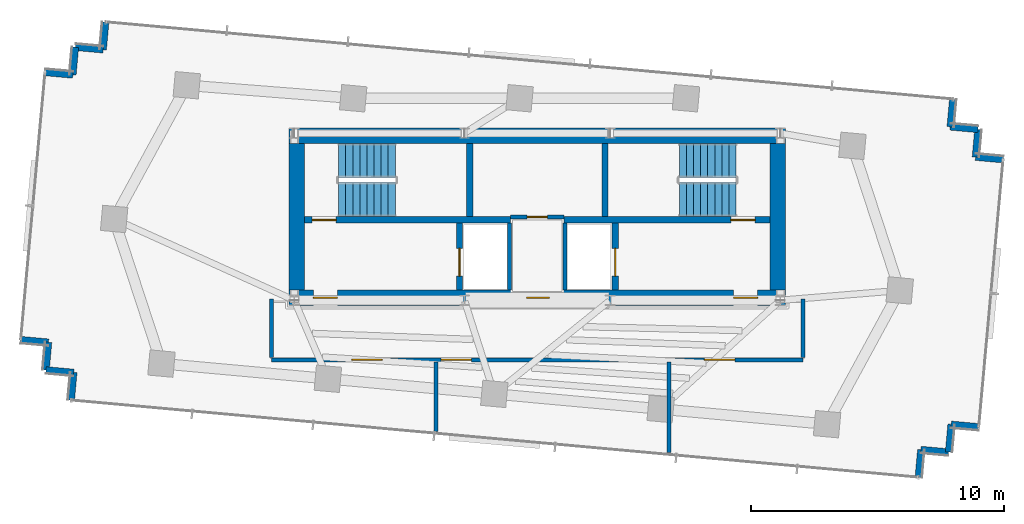
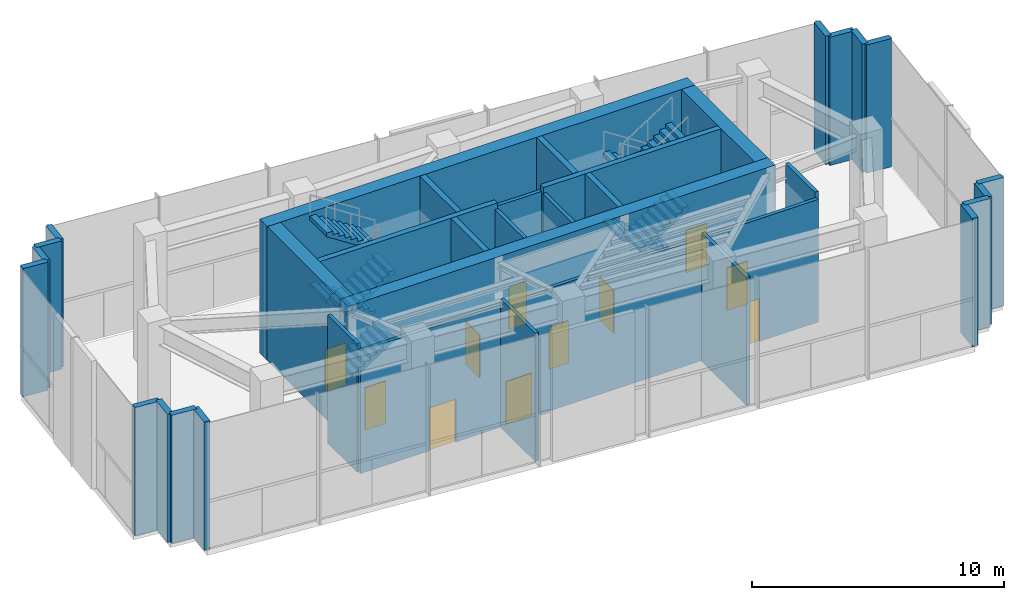
# One storey, part 16 of 18: 34 walls, 11 doors, 8 stair flights, 11 openings, 2 elements without a shape of their own.
"""IFC4 building model written with IfcOpenShell, lengths in metres."""

import ifcopenshell
import ifcopenshell.guid

model = None  # the IFC model being written
_history = None  # IfcOwnerHistory: only IFC2X3 demands one
_inside = {}  # id of a spatial element -> (the spatial element, [elements in it])
_under = {}  # id of a project, library or spatial element -> (it, [spatial elements below it])
_declared = {}  # id of a project -> (the project, [libraries it declares])
_typed = {}  # id of a type object -> (the type object, [elements of that type])
_made_of = {}  # id of a material, layer set ... -> (it, [elements and type objects made of it])


def new_model(schema):
    """Start an empty IFC model of exactly this schema.

    Asked for "IFC4X3", IfcOpenShell would pick the latest addendum, in which some entities
    have other attributes; the version numbers below select the first issue.
    IFC2X3 requires an IfcOwnerHistory on every rooted entity: one is made here for all.
    """
    global model, _history
    if schema == "IFC4X3":
        model = ifcopenshell.file(schema_version=(4, 3, 0, 0))
    else:
        model = ifcopenshell.file(schema=schema)
    _inside.clear()
    _under.clear()
    _declared.clear()
    _typed.clear()
    _made_of.clear()
    _history = None
    if model.schema == "IFC2X3":
        org = make("IfcOrganization", Name="unknown")
        user = make(
            "IfcPersonAndOrganization",
            ThePerson=make("IfcPerson", FamilyName="unknown"),
            TheOrganization=org,
        )
        app = make(
            "IfcApplication",
            ApplicationDeveloper=org,
            Version="unknown",
            ApplicationFullName="unknown",
            ApplicationIdentifier="unknown",
        )
        _history = make(
            "IfcOwnerHistory",
            OwningUser=user,
            OwningApplication=app,
            ChangeAction="ADDED",
            CreationDate=0,
        )
    return model


def make(cls, **values):
    """One entity of the class cls with the attributes given. An attribute that is None is left unset."""
    return model.create_entity(
        cls, **{name: value for name, value in values.items() if value is not None}
    )


def rooted(cls, **values):
    """An entity with a GlobalId (a new one), such as an element, a storey or a relation."""
    return make(cls, GlobalId=ifcopenshell.guid.new(), OwnerHistory=_history, **values)


def si_unit(unit_type, name, prefix=None):
    """IfcSIUnit, for example si_unit("LENGTHUNIT", "METRE", prefix="MILLI")."""
    return make("IfcSIUnit", UnitType=unit_type, Prefix=prefix, Name=name)


def assignment(units):
    """IfcUnitAssignment: the units of a project."""
    return None if units is None else make("IfcUnitAssignment", Units=units)


def point(xyz):
    """IfcCartesianPoint."""
    return None if xyz is None else make("IfcCartesianPoint", Coordinates=xyz)


def direction(xyz):
    """IfcDirection."""
    return None if xyz is None else make("IfcDirection", DirectionRatios=xyz)


def frame(location, z_axis=None, x_axis=None):
    """IfcAxis2Placement3D, a coordinate frame: its origin and axes. An axis left out is left unset."""
    return make(
        "IfcAxis2Placement3D",
        Location=point(location),
        Axis=direction(z_axis),
        RefDirection=direction(x_axis),
    )


def frame_2d(location, x_axis=None):
    """IfcAxis2Placement2D, a coordinate frame in the plane: its origin and x axis."""
    return make(
        "IfcAxis2Placement2D", Location=point(location), RefDirection=direction(x_axis)
    )


def origin():
    """The frame at (0, 0, 0) with its axes left unset."""
    return frame((0.0, 0.0, 0.0))


def place(relative_to, where):
    """IfcLocalPlacement: puts the frame where relative to a parent placement (None: the world)."""
    return make(
        "IfcLocalPlacement", PlacementRelTo=relative_to, RelativePlacement=where
    )


def context(
    kind, dimensions, precision=None, world=None, true_north=None, identifier=None
):
    """IfcGeometricRepresentationContext, for example the 3D "Model" context."""
    return make(
        "IfcGeometricRepresentationContext",
        ContextIdentifier=identifier,
        ContextType=kind,
        CoordinateSpaceDimension=dimensions,
        Precision=precision,
        WorldCoordinateSystem=world,
        TrueNorth=true_north,
    )


def subcontext(parent, identifier, kind, view, scale=None):
    """IfcGeometricRepresentationSubContext, for example "Body" below "Model"."""
    return make(
        "IfcGeometricRepresentationSubContext",
        ContextIdentifier=identifier,
        ContextType=kind,
        ParentContext=parent,
        TargetScale=scale,
        TargetView=view,
    )


def project(units=None, contexts=None):
    """IfcProject with its units and contexts."""
    return rooted(
        "IfcProject",
        Name="project",
        RepresentationContexts=contexts,
        UnitsInContext=assignment(units),
    )


def spatial(cls, under=None, at=None, **own):
    """A site, building, storey or space (cls), placed at a placement, below another one or the project."""
    s = rooted(cls, ObjectPlacement=at, **own)
    if under is not None:
        _under.setdefault(under.id(), (under, []))[1].append(s)
    return s


def polyline(points):
    """IfcPolyline through the points."""
    return make("IfcPolyline", Points=[point(p) for p in points])


def profile(cls, at=None, kind="AREA", **sizes):
    """A parametric profile (cls). Its sizes go by their IFC names, for example OverallWidth=200.0."""
    return make(cls, ProfileType=kind, Position=at, **sizes)


def rectangle(**sizes):
    """IfcRectangleProfileDef."""
    return profile("IfcRectangleProfileDef", **sizes)


def outline(outer, holes=None, kind="AREA"):
    """IfcArbitraryClosedProfileDef: a profile drawn as a closed curve; with holes, ...WithVoids."""
    if holes is None:
        return make("IfcArbitraryClosedProfileDef", ProfileType=kind, OuterCurve=outer)
    return make(
        "IfcArbitraryProfileDefWithVoids",
        ProfileType=kind,
        OuterCurve=outer,
        InnerCurves=holes,
    )


def extrude(swept, where, along, depth):
    """IfcExtrudedAreaSolid: the profile swept, set in the frame where, extruded along a direction by depth."""
    return make(
        "IfcExtrudedAreaSolid",
        SweptArea=swept,
        Position=where,
        ExtrudedDirection=direction(along),
        Depth=depth,
    )


def shape(context_of_items, identifier, shape_type, items):
    """IfcShapeRepresentation: the items that make up one representation, for example the "Body"."""
    return make(
        "IfcShapeRepresentation",
        ContextOfItems=context_of_items,
        RepresentationIdentifier=identifier,
        RepresentationType=shape_type,
        Items=items,
    )


def source(mapping_origin, context_of_items, identifier, shape_type, items):
    """IfcRepresentationMap: a shape defined once, which mapped items show again and again."""
    return make(
        "IfcRepresentationMap",
        MappingOrigin=mapping_origin,
        MappedRepresentation=shape(context_of_items, identifier, shape_type, items),
    )


def transform(
    local_origin,
    x_axis=None,
    y_axis=None,
    z_axis=None,
    scale=None,
    scale2=None,
    scale3=None,
    uniform=True,
):
    """IfcCartesianTransformationOperator3D, or its non-uniform kind. x_axis, y_axis, z_axis: its Axis1, 2, 3."""
    if uniform:
        return make(
            "IfcCartesianTransformationOperator3D",
            Axis1=direction(x_axis),
            Axis2=direction(y_axis),
            LocalOrigin=point(local_origin),
            Scale=scale,
            Axis3=direction(z_axis),
        )
    return make(
        "IfcCartesianTransformationOperator3DnonUniform",
        Axis1=direction(x_axis),
        Axis2=direction(y_axis),
        LocalOrigin=point(local_origin),
        Scale=scale,
        Axis3=direction(z_axis),
        Scale2=scale2,
        Scale3=scale3,
    )


def mapped(mapping_source, mapping_target):
    """IfcMappedItem: shows the shape of a source again, moved by a transform."""
    return make(
        "IfcMappedItem", MappingSource=mapping_source, MappingTarget=mapping_target
    )


def material(Name=None, Category=None):
    """IfcMaterial."""
    return make("IfcMaterial", Name=Name, Category=Category)


def layer(
    of_material, thickness, ventilated=None, Name=None, Category=None, Priority=None
):
    """IfcMaterialLayer: one layer of a wall or slab, of a material (None: an air gap)."""
    return make(
        "IfcMaterialLayer",
        Material=of_material,
        LayerThickness=thickness,
        IsVentilated=ventilated,
        Name=Name,
        Category=Category,
        Priority=Priority,
    )


def layer_set(layers, Name=None):
    """IfcMaterialLayerSet."""
    return make("IfcMaterialLayerSet", MaterialLayers=layers, LayerSetName=Name)


def made_of(thing, what):
    """Note that an element or type object is made of a material, layer set ...; save() writes the relation."""
    if what is not None:
        _made_of.setdefault(what.id(), (what, []))[1].append(thing)
    return thing


def type_object(cls, material=None, **own):
    """A type object (cls), such as IfcWallType, which elements share."""
    return made_of(rooted(cls, **own), material)


def type_shapes(of_type, sources):
    """Give a type object the sources (RepresentationMaps) that its elements show as mapped items."""
    of_type.RepresentationMaps = sources


def element(
    cls,
    number,
    at=None,
    inside=None,
    cuts=None,
    type_object=None,
    material=None,
    context=None,
    identifier="Body",
    shape_type=None,
    held_by="IfcProductDefinitionShape",
    body=None,
    shapes=None,
    **own,
):
    """One element of the class cls, such as IfcWall. Its Tag is "e" and its number.

    at: its placement. inside: the storey or other place that contains it. cuts: it is an
    opening in that element (IfcRelVoidsElement). A single representation is given by context,
    identifier, shape_type and body (its items); several are given by shapes. held_by: the class
    of the entity that holds the representations. save() writes the other relations.
    """
    e = rooted(cls, Tag="e%d" % number, ObjectPlacement=at, **own)
    if body is not None:
        shapes = [shape(context, identifier, shape_type, body)]
    if shapes is not None:
        e.Representation = make(held_by, Representations=shapes)
    if inside is not None:
        _inside.setdefault(inside.id(), (inside, []))[1].append(e)
    if cuts is not None:
        rooted(
            "IfcRelVoidsElement", RelatingBuildingElement=cuts, RelatedOpeningElement=e
        )
    if type_object is not None:
        _typed.setdefault(type_object.id(), (type_object, []))[1].append(e)
    return made_of(e, material)


def fill(opening, filler):
    """IfcRelFillsElement: the door or window that sits in an opening."""
    return rooted(
        "IfcRelFillsElement",
        RelatingOpeningElement=opening,
        RelatedBuildingElement=filler,
    )


def aggregate(whole, parts):
    """IfcRelAggregates: a whole, such as a stair, and the parts it consists of."""
    return rooted("IfcRelAggregates", RelatingObject=whole, RelatedObjects=parts)


def save(model, path):
    """Write the relations noted so far, then the file.

    IfcRelAggregates (storeys below a building ...), IfcRelContainedInSpatialStructure (elements
    in a storey), IfcRelDefinesByType, IfcRelAssociatesMaterial and IfcRelDeclares: one each for
    every whole, place, type object, material and project.
    """
    for whole, parts in _under.values():
        aggregate(whole, parts)
    for where, things in _inside.values():
        rooted(
            "IfcRelContainedInSpatialStructure",
            RelatedElements=things,
            RelatingStructure=where,
        )
    for kind, things in _typed.values():
        rooted("IfcRelDefinesByType", RelatedObjects=things, RelatingType=kind)
    for what, things in _made_of.values():
        rooted("IfcRelAssociatesMaterial", RelatedObjects=things, RelatingMaterial=what)
    for by, libraries in _declared.values():
        rooted("IfcRelDeclares", RelatingContext=by, RelatedDefinitions=libraries)
    model.write(path)


model = new_model("IFC4")

# Units and contexts
model_context = context("Model", 3, precision=1e-05, world=origin(), true_north=direction((0.0, 1.0)))
body_context = subcontext(model_context, "Body", "Model", "MODEL_VIEW")
ifc_project = project(units=[si_unit("LENGTHUNIT", "METRE"), si_unit("AREAUNIT", "SQUARE_METRE"), si_unit("VOLUMEUNIT", "CUBIC_METRE"), si_unit("PLANEANGLEUNIT", "RADIAN"), si_unit("MASSUNIT", "GRAM", prefix="KILO")], contexts=[model_context])

# Site, building, storey
site_placement = place(None, origin())
site = spatial("IfcSite", under=ifc_project, at=site_placement, CompositionType="ELEMENT")
building_placement = place(site_placement, origin())
building = spatial("IfcBuilding", under=site, at=building_placement, Name="Astriad Promenade Condominiums", CompositionType="ELEMENT")
storey_placement = place(building_placement, frame((0.0, 0.0, 277.300048828125)))
storey = spatial("IfcBuildingStorey", under=building, at=storey_placement, Name="L78", CompositionType="ELEMENT", Elevation=277.300048828125)

# Wall, openings, doors
ifc_material_1 = material(Name="Concrete C50/60", Category="concrete")
ifc_layer_1 = layer(ifc_material_1, 0.60009765625)
ifc_layer_set_1 = layer_set([ifc_layer_1], Name="Concrete C50/60")
wall_type_1 = type_object("IfcWallType", Name="CW-SHEAR-600", PredefinedType="SHEAR", material=ifc_layer_set_1)
wall_1_placement = place(storey_placement, frame((26.199951171875, 17.5, 0.0), z_axis=(0.0, 0.0, 1.0), x_axis=(1.0, 0.0, 0.0)))
wall_1 = element("IfcWall", 1, at=wall_1_placement, inside=storey, type_object=wall_type_1, Name="CW-CORE-S-L78", PredefinedType="SHEAR", context=body_context, shape_type="SweptSolid", body=[
    extrude(rectangle(XDim=19.60009765625, YDim=0.60009765625, at=frame_2d((9.800048828125, 0.0))), origin(), (0.0, 0.0, 1.0), 6.5),
])
opening_1_placement = place(wall_1_placement, frame((0.949951171875, 0.0, 0.0)))
opening_1 = element("IfcOpeningElement", 2, at=opening_1_placement, cuts=wall_1, Name="Opening FD90-ST-095", PredefinedType="OPENING", context=body_context, shape_type="SweptSolid", body=[
    extrude(rectangle(XDim=0.949951171875, YDim=2.06005859375, at=frame_2d((0.47509765625, 1.030029296875))), frame((0.0, 0.31005859375, 0.0), z_axis=(0.0, -1.0, 0.0), x_axis=(1.0, 0.0, 0.0)), (0.0, 0.0, 1.0), 0.6201171875),
])
opening_2_placement = place(wall_1_placement, frame((9.3798828125, 0.0, 0.0)))
opening_2 = element("IfcOpeningElement", 3, at=opening_2_placement, cuts=wall_1, Name="Opening FD60-CSL-090", PredefinedType="OPENING", context=body_context, shape_type="SweptSolid", body=[
    extrude(rectangle(XDim=0.89990234375, YDim=2.06005859375, at=frame_2d((0.449951171875, 1.030029296875))), frame((0.0, 0.31005859375, 0.0), z_axis=(0.0, -1.0, 0.0), x_axis=(1.0, 0.0, 0.0)), (0.0, 0.0, 1.0), 0.6201171875),
])
opening_3_placement = place(wall_1_placement, frame((17.550048828125, 0.0, 0.0)))
opening_3 = element("IfcOpeningElement", 4, at=opening_3_placement, cuts=wall_1, Name="Opening FD90-ST-095", PredefinedType="OPENING", context=body_context, shape_type="SweptSolid", body=[
    extrude(rectangle(XDim=0.949951171875, YDim=2.06005859375, at=frame_2d((0.47509765625, 1.030029296875))), frame((0.0, 0.31005859375, 0.0), z_axis=(0.0, -1.0, 0.0), x_axis=(1.0, 0.0, 0.0)), (0.0, 0.0, 1.0), 0.6201171875),
])
ifc_material_2 = material(Name="Fire-Rated Hollow Metal Stair Door")
door_type_1 = type_object("IfcDoorType", Name="FD90-ST-095", OperationType="NOTDEFINED", PredefinedType="DOOR", material=ifc_material_2)
shared_shape_1 = source(origin(), body_context, "Body", "SweptSolid", [
    extrude(rectangle(XDim=0.949951171875, YDim=2.06005859375, at=frame_2d((0.47509765625, 1.030029296875))), frame((0.0, 0.02490234375, 0.0), z_axis=(0.0, -1.0, 0.0), x_axis=(1.0, 0.0, 0.0)), (0.0, 0.0, 1.0), 0.050048828125),
])
type_shapes(door_type_1, [shared_shape_1])
door_1_placement = place(opening_1_placement, origin())
door_1 = element("IfcDoor", 5, at=door_1_placement, inside=storey, type_object=door_type_1, Name="D-FFW-L78", OperationType="SINGLE_SWING_LEFT", OverallHeight=2.06005859375, OverallWidth=0.949951171875, PredefinedType="DOOR", context=body_context, shape_type="MappedRepresentation", body=[
    mapped(shared_shape_1, transform((0.0, 0.0, 0.0), scale=1.0)),
])
fill(opening_1, door_1)
door_2_placement = place(opening_3_placement, origin())
door_2 = element("IfcDoor", 6, at=door_2_placement, inside=storey, type_object=door_type_1, Name="D-FFE-L78", OperationType="SINGLE_SWING_RIGHT", OverallHeight=2.06005859375, OverallWidth=0.949951171875, PredefinedType="DOOR", context=body_context, shape_type="MappedRepresentation", body=[
    mapped(shared_shape_1, transform((0.0, 0.0, 0.0), scale=1.0)),
])
fill(opening_3, door_2)
ifc_material_3 = material(Name="Fire-Rated Service Lobby Door")
door_type_2 = type_object("IfcDoorType", Name="FD60-CSL-090", OperationType="NOTDEFINED", PredefinedType="DOOR", material=ifc_material_3)
shared_shape_2 = source(origin(), body_context, "Body", "SweptSolid", [
    extrude(rectangle(XDim=0.89990234375, YDim=2.06005859375, at=frame_2d((0.449951171875, 1.030029296875))), frame((0.0, 0.02490234375, 0.0), z_axis=(0.0, -1.0, 0.0), x_axis=(1.0, 0.0, 0.0)), (0.0, 0.0, 1.0), 0.050048828125),
])
type_shapes(door_type_2, [shared_shape_2])
door_3_placement = place(opening_2_placement, origin())
door_3 = element("IfcDoor", 7, at=door_3_placement, inside=storey, type_object=door_type_2, Name="D-CSL-L78", OperationType="SINGLE_SWING_RIGHT", OverallHeight=2.06005859375, OverallWidth=0.89990234375, PredefinedType="DOOR", context=body_context, shape_type="MappedRepresentation", body=[
    mapped(shared_shape_2, transform((0.0, 0.0, 0.0), scale=1.0)),
])
fill(opening_2, door_3)

# Walls
wall_2_placement = place(storey_placement, frame((26.199951171875, 23.89990234375, 0.0), z_axis=(0.0, 0.0, 1.0), x_axis=(1.0, 0.0, 0.0)))
element("IfcWall", 8, at=wall_2_placement, inside=storey, type_object=wall_type_1, Name="CW-CORE-N-L78", PredefinedType="SHEAR", context=body_context, shape_type="SweptSolid", body=[
    extrude(rectangle(XDim=19.60009765625, YDim=0.60009765625, at=frame_2d((9.800048828125, 0.0))), origin(), (0.0, 0.0, 1.0), 6.5),
])
for number, where, z_axis, x_axis, name in (
    (9, (26.5, 17.802001953125, 0.0), (0.0, 0.0, 1.0), (0.0, 1.0, 0.0), "CW-CORE-W-L78"),
    (10, (45.5, 17.802001953125, 0.0), (0.0, 0.0, 1.0), (0.0, 1.0, 0.0), "CW-CORE-E-L78"),
):
    element("IfcWall", number, at=place(storey_placement, frame(where, z_axis=z_axis, x_axis=x_axis)), inside=storey, type_object=wall_type_1, Name=name, PredefinedType="SHEAR", context=body_context, shape_type="SweptSolid", body=[
        extrude(rectangle(XDim=5.7958984375, YDim=0.60009765625, at=frame_2d((2.89794921875, 0.0))), origin(), (0.0, 0.0, 1.0), 6.5),
    ])

# Wall, opening, door
ifc_layer_2 = layer(ifc_material_1, 0.25)
ifc_layer_set_2 = layer_set([ifc_layer_2], Name="Concrete C50/60")
wall_type_2 = type_object("IfcWallType", Name="WALL-CORE-INT-250", PredefinedType="SOLIDWALL", material=ifc_layer_set_2)
wall_3_placement = place(storey_placement, frame((26.802001953125, 20.574951171875, 0.0), z_axis=(0.0, 0.0, 1.0), x_axis=(1.0, 0.0, 0.0)))
wall_3 = element("IfcWall", 11, at=wall_3_placement, inside=storey, type_object=wall_type_2, Name="CW-INT-H1-L78", PredefinedType="SOLIDWALL", context=body_context, shape_type="SweptSolid", body=[
    extrude(rectangle(XDim=8.14794921875, YDim=0.25, at=frame_2d((4.073974609375, 0.0))), origin(), (0.0, 0.0, 1.0), 6.5),
])
opening_4_placement = place(wall_3_placement, frame((0.298095703125, 0.0, 0.0)))
opening_4 = element("IfcOpeningElement", 12, at=opening_4_placement, cuts=wall_3, Name="Opening FD90-ST-095", PredefinedType="OPENING", context=body_context, shape_type="SweptSolid", body=[
    extrude(rectangle(XDim=0.949951171875, YDim=2.06005859375, at=frame_2d((0.47509765625, 1.030029296875))), frame((0.0, 0.135009765625, 0.0), z_axis=(0.0, -1.0, 0.0), x_axis=(1.0, 0.0, 0.0)), (0.0, 0.0, 1.0), 0.27001953125),
])
door_4_placement = place(opening_4_placement, origin())
door_4 = element("IfcDoor", 13, at=door_4_placement, inside=storey, type_object=door_type_1, Name="D-ST1-L78", OperationType="SINGLE_SWING_LEFT", OverallHeight=2.06005859375, OverallWidth=0.949951171875, PredefinedType="DOOR", context=body_context, shape_type="MappedRepresentation", body=[
    mapped(shared_shape_1, transform((0.0, 0.0, 0.0), scale=1.0)),
])
fill(opening_4, door_4)

wall_4_placement = place(storey_placement, frame((37.050048828125, 20.574951171875, 0.0), z_axis=(0.0, 0.0, 1.0), x_axis=(1.0, 0.0, 0.0)))
wall_4 = element("IfcWall", 14, at=wall_4_placement, inside=storey, type_object=wall_type_2, Name="CW-INT-H2-L78", PredefinedType="SOLIDWALL", context=body_context, shape_type="SweptSolid", body=[
    extrude(rectangle(XDim=8.14794921875, YDim=0.25, at=frame_2d((4.073974609375, 0.0))), origin(), (0.0, 0.0, 1.0), 6.5),
])
opening_5_placement = place(wall_4_placement, frame((6.60009765625, 0.0, 0.0)))
opening_5 = element("IfcOpeningElement", 15, at=opening_5_placement, cuts=wall_4, Name="Opening FD90-ST-095", PredefinedType="OPENING", context=body_context, shape_type="SweptSolid", body=[
    extrude(rectangle(XDim=0.949951171875, YDim=2.06005859375, at=frame_2d((0.47509765625, 1.030029296875))), frame((0.0, 0.135009765625, 0.0), z_axis=(0.0, -1.0, 0.0), x_axis=(1.0, 0.0, 0.0)), (0.0, 0.0, 1.0), 0.27001953125),
])
door_5_placement = place(opening_5_placement, origin())
door_5 = element("IfcDoor", 16, at=door_5_placement, inside=storey, type_object=door_type_1, Name="D-ST2-L78", OperationType="SINGLE_SWING_RIGHT", OverallHeight=2.06005859375, OverallWidth=0.949951171875, PredefinedType="DOOR", context=body_context, shape_type="MappedRepresentation", body=[
    mapped(shared_shape_1, transform((0.0, 0.0, 0.0), scale=1.0)),
])
fill(opening_5, door_5)

# Walls
for number, where, z_axis, x_axis, name in (
    (17, (33.324951171875, 20.701904296875, 0.0), (0.0, 0.0, 1.0), (0.0, 1.0, 0.0), "CW-ST1-E-L78"),
    (18, (38.675048828125, 20.701904296875, 0.0), (0.0, 0.0, 1.0), (0.0, 1.0, 0.0), "CW-ST2-W-L78"),
):
    element("IfcWall", number, at=place(storey_placement, frame(where, z_axis=z_axis, x_axis=x_axis)), inside=storey, type_object=wall_type_2, Name=name, PredefinedType="SOLIDWALL", context=body_context, shape_type="SweptSolid", body=[
        extrude(rectangle(XDim=2.89599609375, YDim=0.25, at=frame_2d((1.447998046875, 0.0))), origin(), (0.0, 0.0, 1.0), 6.5),
    ])

# Wall, opening, door
wall_5_placement = place(storey_placement, frame((32.925048828125, 17.802001953125, 0.0), z_axis=(0.0, 0.0, 1.0), x_axis=(0.0, 1.0, 0.0)))
wall_5 = element("IfcWall", 19, at=wall_5_placement, inside=storey, type_object=wall_type_2, Name="CW-FFL1-W-L78", PredefinedType="SOLIDWALL", context=body_context, shape_type="SweptSolid", body=[
    extrude(rectangle(XDim=2.64599609375, YDim=0.25, at=frame_2d((1.322998046875, 0.0))), origin(), (0.0, 0.0, 1.0), 6.5),
])
opening_6_placement = place(wall_5_placement, frame((0.548095703125, 0.0, 0.0)))
opening_6 = element("IfcOpeningElement", 20, at=opening_6_placement, cuts=wall_5, Name="Opening LD-FFL-1122", PredefinedType="OPENING", context=body_context, shape_type="SweptSolid", body=[
    extrude(rectangle(XDim=1.10009765625, YDim=2.080078125, at=frame_2d((0.550048828125, 1.0400390625))), frame((0.0, 0.135009765625, 0.0), z_axis=(0.0, -1.0, 0.0), x_axis=(1.0, 0.0, 0.0)), (0.0, 0.0, 1.0), 0.27001953125),
])
ifc_material_4 = material(Name="Brushed Stainless Steel Fire Elevator Landing Door", Category="steel")
door_type_3 = type_object("IfcDoorType", Name="LD-FFL-1122", OperationType="NOTDEFINED", PredefinedType="DOOR", material=ifc_material_4)
shared_shape_3 = source(origin(), body_context, "Body", "SweptSolid", [
    extrude(rectangle(XDim=1.10009765625, YDim=2.080078125, at=frame_2d((0.550048828125, 1.0400390625))), frame((0.0, 0.02490234375, 0.0), z_axis=(0.0, -1.0, 0.0), x_axis=(1.0, 0.0, 0.0)), (0.0, 0.0, 1.0), 0.050048828125),
])
type_shapes(door_type_3, [shared_shape_3])
door_6_placement = place(opening_6_placement, origin())
door_6 = element("IfcDoor", 21, at=door_6_placement, inside=storey, type_object=door_type_3, Name="Elevator Landing Door FFL-1 (L78)", OperationType="SLIDING_TO_LEFT", OverallHeight=2.080078125, OverallWidth=1.10009765625, PredefinedType="DOOR", context=body_context, shape_type="MappedRepresentation", body=[
    mapped(shared_shape_3, transform((0.0, 0.0, 0.0), scale=1.0)),
])
fill(opening_6, door_6)

wall_6_placement = place(storey_placement, frame((39.074951171875, 17.802001953125, 0.0), z_axis=(0.0, 0.0, 1.0), x_axis=(0.0, 1.0, 0.0)))
wall_6 = element("IfcWall", 22, at=wall_6_placement, inside=storey, type_object=wall_type_2, Name="CW-FFL2-E-L78", PredefinedType="SOLIDWALL", context=body_context, shape_type="SweptSolid", body=[
    extrude(rectangle(XDim=2.64599609375, YDim=0.25, at=frame_2d((1.322998046875, 0.0))), origin(), (0.0, 0.0, 1.0), 6.5),
])
opening_7_placement = place(wall_6_placement, frame((0.548095703125, 0.0, 0.0)))
opening_7 = element("IfcOpeningElement", 23, at=opening_7_placement, cuts=wall_6, Name="Opening LD-FFL-1122", PredefinedType="OPENING", context=body_context, shape_type="SweptSolid", body=[
    extrude(rectangle(XDim=1.10009765625, YDim=2.080078125, at=frame_2d((0.550048828125, 1.0400390625))), frame((0.0, 0.135009765625, 0.0), z_axis=(0.0, -1.0, 0.0), x_axis=(1.0, 0.0, 0.0)), (0.0, 0.0, 1.0), 0.27001953125),
])
door_7_placement = place(opening_7_placement, origin())
door_7 = element("IfcDoor", 24, at=door_7_placement, inside=storey, type_object=door_type_3, Name="Elevator Landing Door FFL-2 (L78)", OperationType="SLIDING_TO_RIGHT", OverallHeight=2.080078125, OverallWidth=1.10009765625, PredefinedType="DOOR", context=body_context, shape_type="MappedRepresentation", body=[
    mapped(shared_shape_3, transform((0.0, 0.0, 0.0), scale=1.0)),
])
fill(opening_7, door_7)

# Walls
ifc_material_5 = material(Name="Fire-Rated Gypsum Partition")
ifc_layer_3 = layer(ifc_material_5, 0.159912109375)
ifc_layer_set_3 = layer_set([ifc_layer_3], Name="Fire-Rated Gypsum Partition")
wall_type_3 = type_object("IfcWallType", Name="WALL-CORR-160", PredefinedType="PARTITIONING", material=ifc_layer_set_3)
for number, where, z_axis, x_axis, name in (
    (25, (34.89990234375, 17.802001953125, 0.0), (0.0, 0.0, 1.0), (0.0, 1.0, 0.0), "CW-FFL1-E-L78"),
    (26, (37.10009765625, 17.802001953125, 0.0), (0.0, 0.0, 1.0), (0.0, 1.0, 0.0), "CW-FFL2-W-L78"),
):
    element("IfcWall", number, at=place(storey_placement, frame(where, z_axis=z_axis, x_axis=x_axis)), inside=storey, type_object=wall_type_3, Name=name, PredefinedType="PARTITIONING", context=body_context, shape_type="SweptSolid", body=[
        extrude(rectangle(XDim=2.64599609375, YDim=0.159912109375, at=frame_2d((1.322998046875, 0.0))), origin(), (0.0, 0.0, 1.0), 6.219970703125),
    ])

# Wall, opening, door
wall_7_placement = place(storey_placement, frame((34.949951171875, 20.68994140625, 0.0), z_axis=(0.0, 0.0, 1.0), x_axis=(1.0, 0.0, 0.0)))
wall_7 = element("IfcWall", 27, at=wall_7_placement, inside=storey, type_object=wall_type_3, Name="CW-AUX-S-L78", PredefinedType="PARTITIONING", context=body_context, shape_type="SweptSolid", body=[
    extrude(rectangle(XDim=2.10009765625, YDim=0.159912109375, at=frame_2d((1.050048828125, 0.0))), origin(), (0.0, 0.0, 1.0), 6.219970703125),
])
opening_8_placement = place(wall_7_placement, frame((0.64990234375, 0.0, 0.0)))
opening_8 = element("IfcOpeningElement", 28, at=opening_8_placement, cuts=wall_7, Name="Opening FD60-SV-080", PredefinedType="OPENING", context=body_context, shape_type="SweptSolid", body=[
    extrude(rectangle(XDim=0.800048828125, YDim=2.050048828125, at=frame_2d((0.39990234375, 1.02490234375))), frame((0.0, 0.08984375, 0.0), z_axis=(0.0, -1.0, 0.0), x_axis=(1.0, 0.0, 0.0)), (0.0, 0.0, 1.0), 0.179931640625),
])
ifc_material_6 = material(Name="Fire-Rated Riser Closet Door")
door_type_4 = type_object("IfcDoorType", Name="FD60-SV-080", OperationType="NOTDEFINED", PredefinedType="DOOR", material=ifc_material_6)
shared_shape_4 = source(origin(), body_context, "Body", "SweptSolid", [
    extrude(rectangle(XDim=0.800048828125, YDim=2.050048828125, at=frame_2d((0.39990234375, 1.02490234375))), frame((0.0, 0.02490234375, 0.0), z_axis=(0.0, -1.0, 0.0), x_axis=(1.0, 0.0, 0.0)), (0.0, 0.0, 1.0), 0.050048828125),
])
type_shapes(door_type_4, [shared_shape_4])
door_8_placement = place(opening_8_placement, origin())
door_8 = element("IfcDoor", 29, at=door_8_placement, inside=storey, type_object=door_type_4, Name="D-AUX1-L78", OperationType="SINGLE_SWING_LEFT", OverallHeight=2.050048828125, OverallWidth=0.800048828125, PredefinedType="DOOR", context=body_context, shape_type="MappedRepresentation", body=[
    mapped(shared_shape_4, transform((0.0, 0.0, 0.0), scale=1.0)),
])
fill(opening_8, door_8)

# Wall, openings, doors
wall_8_placement = place(storey_placement, frame((25.5, 15.050048828125, 0.0), z_axis=(0.0, 0.0, 1.0), x_axis=(1.0, 0.0, 0.0)))
wall_8 = element("IfcWall", 30, at=wall_8_placement, inside=storey, type_object=wall_type_3, Name="PT-L78-CS", PredefinedType="PARTITIONING", context=body_context, shape_type="SweptSolid", body=[
    extrude(rectangle(XDim=21.0, YDim=0.159912109375, at=frame_2d((10.5, 0.0))), origin(), (0.0, 0.0, 1.0), 5.947998046875),
])
opening_9_placement = place(wall_8_placement, frame((3.169921875, 0.0, 0.0)))
opening_9 = element("IfcOpeningElement", 31, at=opening_9_placement, cuts=wall_8, Name="Opening FD90-PLT-1222", PredefinedType="OPENING", context=body_context, shape_type="SweptSolid", body=[
    extrude(rectangle(XDim=1.199951171875, YDim=2.080078125, at=frame_2d((0.60009765625, 1.0400390625))), frame((0.0, 0.08984375, 0.0), z_axis=(0.0, -1.0, 0.0), x_axis=(1.0, 0.0, 0.0)), (0.0, 0.0, 1.0), 0.179931640625),
])
opening_10_placement = place(wall_8_placement, frame((6.699951171875, 0.0, 0.0)))
opening_10 = element("IfcOpeningElement", 32, at=opening_10_placement, cuts=wall_8, Name="Opening FD90-PLT-1222", PredefinedType="OPENING", context=body_context, shape_type="SweptSolid", body=[
    extrude(rectangle(XDim=1.199951171875, YDim=2.080078125, at=frame_2d((0.60009765625, 1.0400390625))), frame((0.0, 0.08984375, 0.0), z_axis=(0.0, -1.0, 0.0), x_axis=(1.0, 0.0, 0.0)), (0.0, 0.0, 1.0), 0.179931640625),
])
opening_11_placement = place(wall_8_placement, frame((17.10009765625, 0.0, 0.0)))
opening_11 = element("IfcOpeningElement", 33, at=opening_11_placement, cuts=wall_8, Name="Opening FD90-PLT-1222", PredefinedType="OPENING", context=body_context, shape_type="SweptSolid", body=[
    extrude(rectangle(XDim=1.199951171875, YDim=2.080078125, at=frame_2d((0.60009765625, 1.0400390625))), frame((0.0, 0.08984375, 0.0), z_axis=(0.0, -1.0, 0.0), x_axis=(1.0, 0.0, 0.0)), (0.0, 0.0, 1.0), 0.179931640625),
])
ifc_material_7 = material(Name="Fire-Rated Double-Insulated Plant Door")
door_type_5 = type_object("IfcDoorType", Name="FD90-PLT-1222", OperationType="NOTDEFINED", PredefinedType="DOOR", material=ifc_material_7)
shared_shape_5 = source(origin(), body_context, "Body", "SweptSolid", [
    extrude(rectangle(XDim=1.199951171875, YDim=2.080078125, at=frame_2d((0.60009765625, 1.0400390625))), frame((0.0, 0.02490234375, 0.0), z_axis=(0.0, -1.0, 0.0), x_axis=(1.0, 0.0, 0.0)), (0.0, 0.0, 1.0), 0.050048828125),
])
type_shapes(door_type_5, [shared_shape_5])
door_9_placement = place(opening_9_placement, origin())
door_9 = element("IfcDoor", 34, at=door_9_placement, inside=storey, type_object=door_type_5, Name="D-L78-PW", OperationType="SINGLE_SWING_RIGHT", OverallHeight=2.080078125, OverallWidth=1.199951171875, PredefinedType="DOOR", context=body_context, shape_type="MappedRepresentation", body=[
    mapped(shared_shape_5, transform((0.0, 0.0, 0.0), scale=1.0)),
])
fill(opening_9, door_9)
door_10_placement = place(opening_10_placement, origin())
door_10 = element("IfcDoor", 35, at=door_10_placement, inside=storey, type_object=door_type_5, Name="D-L78-PC", OperationType="SINGLE_SWING_LEFT", OverallHeight=2.080078125, OverallWidth=1.199951171875, PredefinedType="DOOR", context=body_context, shape_type="MappedRepresentation", body=[
    mapped(shared_shape_5, transform((0.0, 0.0, 0.0), scale=1.0)),
])
fill(opening_10, door_10)
door_11_placement = place(opening_11_placement, origin())
door_11 = element("IfcDoor", 36, at=door_11_placement, inside=storey, type_object=door_type_5, Name="D-L78-PE", OperationType="SINGLE_SWING_RIGHT", OverallHeight=2.080078125, OverallWidth=1.199951171875, PredefinedType="DOOR", context=body_context, shape_type="MappedRepresentation", body=[
    mapped(shared_shape_5, transform((0.0, 0.0, 0.0), scale=1.0)),
])
fill(opening_11, door_11)

# Walls
for number, where, z_axis, x_axis, name in (
    (37, (25.5, 15.132080078125, 0.0), (0.0, 0.0, 1.0), (0.0, 1.0, 0.0), "PT-L78-CWSP"),
    (38, (46.5, 15.132080078125, 0.0), (0.0, 0.0, 1.0), (0.0, 1.0, 0.0), "PT-L78-CESP"),
):
    element("IfcWall", number, at=place(storey_placement, frame(where, z_axis=z_axis, x_axis=x_axis)), inside=storey, type_object=wall_type_3, Name=name, PredefinedType="PARTITIONING", context=body_context, shape_type="SweptSolid", body=[
        extrude(rectangle(XDim=2.31787109375, YDim=0.159912109375, at=frame_2d((1.158935546875, 0.0))), origin(), (0.0, 0.0, 1.0), 6.219970703125),
    ])
wall_9_placement = place(storey_placement, frame((32.0, 12.222412109375, 0.0), z_axis=(0.0, 0.0, 1.0), x_axis=(0.0, 1.0, 0.0)))
element("IfcWall", 39, at=wall_9_placement, inside=storey, type_object=wall_type_3, Name="PT-L78-VW", PredefinedType="PARTITIONING", context=body_context, shape_type="SweptSolid", body=[
    extrude(rectangle(XDim=2.74560546875, YDim=0.159912109375, at=frame_2d((1.372802734375, 0.0))), origin(), (0.0, 0.0, 1.0), 6.219970703125),
])
wall_10_placement = place(storey_placement, frame((41.199951171875, 11.385009765625, 0.0), z_axis=(0.0, 0.0, 1.0), x_axis=(0.0, 1.0, 0.0)))
element("IfcWall", 40, at=wall_10_placement, inside=storey, type_object=wall_type_3, Name="PT-L78-VE", PredefinedType="PARTITIONING", context=body_context, shape_type="SweptSolid", body=[
    extrude(rectangle(XDim=3.5830078125, YDim=0.159912109375, at=frame_2d((1.79150390625, 0.0))), origin(), (0.0, 0.0, 1.0), 6.219970703125),
])
ifc_material_8 = material(Name="Precast concrete C50/60", Category="concrete")
ifc_layer_4 = layer(ifc_material_8, 0.260009765625)
ifc_layer_set_4 = layer_set([ifc_layer_4], Name="Precast concrete C50/60")
wall_type_4 = type_object("IfcWallType", Name="WALL-EXT-TWR-260", PredefinedType="STANDARD", material=ifc_layer_set_4)
wall_11_placement = place(storey_placement, frame((17.689208984375, 14.549072265625, 0.0), z_axis=(0.0, 0.0, 1.0), x_axis=(-0.995893206468, 0.090535746043, 0.0)))
element("IfcWall", 41, at=wall_11_placement, inside=storey, type_object=wall_type_4, Name="W-CRN-L78-00", PredefinedType="STANDARD", context=body_context, shape_type="SweptSolid", body=[
    extrude(rectangle(XDim=1.100341796875, YDim=0.260009765625, at=frame_2d((0.55029296875, 0.0))), origin(), (0.0, 0.0, 1.0), 6.219970703125),
])
for number, where, z_axis, x_axis, name in (
    (42, (16.593505859375, 14.648681640625, 0.0), (0.0, 0.0, 1.0), (0.09077588162, 0.995871346769, 0.0), "W-CRN-L78-01"),
    (43, (16.693359375, 15.744140625, 0.0), (0.0, 0.0, 1.0), (-0.995891387001, 0.090555757944, 0.0), "W-CRN-L78-02"),
    (44, (16.55859375, 26.400146484375, 0.0), (0.0, 0.0, 1.0), (0.995891387001, -0.090555757944, 0.0), "W-CRN-L78-04"),
    (45, (17.654052734375, 26.300537109375, 0.0), (0.0, 0.0, 1.0), (0.090555757944, 0.995891387001, 0.0), "W-CRN-L78-05"),
    (46, (17.753662109375, 27.39599609375, 0.0), (0.0, 0.0, 1.0), (0.995891387001, -0.090555757944, 0.0), "W-CRN-L78-06"),
    (47, (18.84912109375, 27.29638671875, 0.0), (0.0, 0.0, 1.0), (0.09077588162, 0.995871346769, 0.0), "W-CRN-L78-07"),
    (48, (52.41064453125, 25.346435546875, 0.0), (0.0, 0.0, 1.0), (-0.09077588162, -0.995871346769, 0.0), "W-CRN-L78-09"),
):
    element("IfcWall", number, at=place(storey_placement, frame(where, z_axis=z_axis, x_axis=x_axis)), inside=storey, type_object=wall_type_4, Name=name, PredefinedType="STANDARD", context=body_context, shape_type="SweptSolid", body=[
        extrude(rectangle(XDim=1.10009765625, YDim=0.260009765625, at=frame_2d((0.550048828125, 0.0))), origin(), (0.0, 0.0, 1.0), 6.219970703125),
    ])
wall_12_placement = place(storey_placement, frame((52.310791015625, 24.2509765625, 0.0), z_axis=(0.0, 0.0, 1.0), x_axis=(0.995893206468, -0.090535746043, 0.0)))
element("IfcWall", 49, at=wall_12_placement, inside=storey, type_object=wall_type_4, Name="W-CRN-L78-10", PredefinedType="STANDARD", context=body_context, shape_type="SweptSolid", body=[
    extrude(rectangle(XDim=1.100341796875, YDim=0.260009765625, at=frame_2d((0.55029296875, 0.0))), origin(), (0.0, 0.0, 1.0), 6.219970703125),
])
for number, where, z_axis, x_axis, name in (
    (50, (53.406494140625, 24.1513671875, 0.0), (0.0, 0.0, 1.0), (-0.09077588162, -0.995871346769, 0.0), "W-CRN-L78-11"),
    (51, (53.306640625, 23.055908203125, 0.0), (0.0, 0.0, 1.0), (0.995891387001, -0.090555757944, 0.0), "W-CRN-L78-12"),
    (52, (53.44140625, 12.39990234375, 0.0), (0.0, 0.0, 1.0), (-0.995891387001, 0.090555757944, 0.0), "W-CRN-L78-14"),
    (53, (52.345947265625, 12.49951171875, 0.0), (0.0, 0.0, 1.0), (-0.090555757944, -0.995891387001, 0.0), "W-CRN-L78-15"),
    (54, (52.246337890625, 11.404052734375, 0.0), (0.0, 0.0, 1.0), (-0.995891387001, 0.090555757944, 0.0), "W-CRN-L78-16"),
    (55, (51.15087890625, 11.503662109375, 0.0), (0.0, 0.0, 1.0), (-0.09077588162, -0.995871346769, 0.0), "W-CRN-L78-17"),
    (56, (17.58935546875, 13.45361328125, 0.0), (0.0, 0.0, 1.0), (0.09077588162, 0.995871346769, 0.0), "W-CRN-L78-19"),
):
    element("IfcWall", number, at=place(storey_placement, frame(where, z_axis=z_axis, x_axis=x_axis)), inside=storey, type_object=wall_type_4, Name=name, PredefinedType="STANDARD", context=body_context, shape_type="SweptSolid", body=[
        extrude(rectangle(XDim=1.10009765625, YDim=0.260009765625, at=frame_2d((0.550048828125, 0.0))), origin(), (0.0, 0.0, 1.0), 6.219970703125),
    ])

# Stair, stair flights
stair_type = type_object("IfcStairType", Name="STR-CORE-1350", PredefinedType="HALF_TURN_STAIR", material=ifc_material_1)
stair_1_placement = place(storey_placement, origin())
stair_1 = element("IfcStair", 57, at=stair_1_placement, inside=storey, type_object=stair_type, Name="L78 Enclosed Core Exit Stair ST-1", PredefinedType="HALF_TURN_STAIR")
stair_flight_type = type_object("IfcStairFlightType", Name="SFL-CORE-1350", PredefinedType="STRAIGHT", material=ifc_material_1)
shared_shape_6 = source(origin(), body_context, "Body", "SweptSolid", [
    extrude(outline(polyline([(0.0, 0.0), (0.0, 0.1806640625), (0.280029296875, 0.1806640625), (0.280029296875, 0.361083984375), (0.56005859375, 0.361083984375), (0.56005859375, 0.541748046875), (0.840087890625, 0.541748046875), (0.840087890625, 0.72216796875), (1.1201171875, 0.72216796875), (1.1201171875, 0.90283203125), (1.39990234375, 0.90283203125), (1.39990234375, 1.083251953125), (1.679931640625, 1.083251953125), (1.679931640625, 1.263916015625), (1.9599609375, 1.263916015625), (1.9599609375, 1.4443359375), (2.239990234375, 1.4443359375), (2.239990234375, 1.625), (2.239990234375, 1.26611328125), (0.276611328125, 0.0), (0.0, 0.0)])), frame((0.0, 0.675048828125, 0.0), z_axis=(0.0, -1.0, 0.0), x_axis=(1.0, 0.0, 0.0)), (0.0, 0.0, 1.0), 1.35009765625),
])
type_shapes(stair_flight_type, [shared_shape_6])
stair_flight_1_placement = place(storey_placement, frame((28.14990234375, 21.375, 0.0), z_axis=(0.0, 0.0, 1.0), x_axis=(1.0, 0.0, 0.0)))
stair_flight_1 = element("IfcStairFlight", 58, at=stair_flight_1_placement, type_object=stair_flight_type, Name="ST-1 flight 1", NumberOfRisers=9, NumberOfTreads=8, PredefinedType="STRAIGHT", RiserHeight=0.180555556, TreadLength=0.28, context=body_context, shape_type="MappedRepresentation", body=[
    mapped(shared_shape_6, transform((0.0, 0.0, 0.0), scale=1.0)),
])
stair_flight_2_placement = place(storey_placement, frame((30.389892578125, 22.925048828125, 1.625), z_axis=(0.0, 0.0, 1.0), x_axis=(-1.0, 0.0, 0.0)))
stair_flight_2 = element("IfcStairFlight", 59, at=stair_flight_2_placement, type_object=stair_flight_type, Name="ST-1 flight 2", NumberOfRisers=9, NumberOfTreads=8, PredefinedType="STRAIGHT", RiserHeight=0.180555556, TreadLength=0.28, context=body_context, shape_type="MappedRepresentation", body=[
    mapped(shared_shape_6, transform((0.0, 0.0, 0.0), scale=1.0)),
])
stair_flight_3_placement = place(storey_placement, frame((28.14990234375, 21.375, 3.25), z_axis=(0.0, 0.0, 1.0), x_axis=(1.0, 0.0, 0.0)))
stair_flight_3 = element("IfcStairFlight", 60, at=stair_flight_3_placement, type_object=stair_flight_type, Name="ST-1 flight 3", NumberOfRisers=9, NumberOfTreads=8, PredefinedType="STRAIGHT", RiserHeight=0.180555556, TreadLength=0.28, context=body_context, shape_type="MappedRepresentation", body=[
    mapped(shared_shape_6, transform((0.0, 0.0, 0.0), scale=1.0)),
])
stair_flight_4_placement = place(storey_placement, frame((30.389892578125, 22.925048828125, 4.875), z_axis=(0.0, 0.0, 1.0), x_axis=(-1.0, 0.0, 0.0)))
stair_flight_4 = element("IfcStairFlight", 61, at=stair_flight_4_placement, type_object=stair_flight_type, Name="ST-1 flight 4", NumberOfRisers=9, NumberOfTreads=8, PredefinedType="STRAIGHT", RiserHeight=0.180555556, TreadLength=0.28, context=body_context, shape_type="MappedRepresentation", body=[
    mapped(shared_shape_6, transform((0.0, 0.0, 0.0), scale=1.0)),
])
aggregate(stair_1, [stair_flight_1, stair_flight_2, stair_flight_3, stair_flight_4])

stair_2_placement = place(storey_placement, origin())
stair_2 = element("IfcStair", 62, at=stair_2_placement, inside=storey, type_object=stair_type, Name="L78 Enclosed Core Exit Stair ST-2", PredefinedType="HALF_TURN_STAIR")
stair_flight_5_placement = place(storey_placement, frame((43.85009765625, 22.925048828125, 0.0), z_axis=(0.0, 0.0, 1.0), x_axis=(-1.0, 0.0, 0.0)))
stair_flight_5 = element("IfcStairFlight", 63, at=stair_flight_5_placement, type_object=stair_flight_type, Name="ST-2 flight 1", NumberOfRisers=9, NumberOfTreads=8, PredefinedType="STRAIGHT", RiserHeight=0.180555556, TreadLength=0.28, context=body_context, shape_type="MappedRepresentation", body=[
    mapped(shared_shape_6, transform((0.0, 0.0, 0.0), scale=1.0)),
])
stair_flight_6_placement = place(storey_placement, frame((41.610107421875, 21.375, 1.625), z_axis=(0.0, 0.0, 1.0), x_axis=(1.0, 0.0, 0.0)))
stair_flight_6 = element("IfcStairFlight", 64, at=stair_flight_6_placement, type_object=stair_flight_type, Name="ST-2 flight 2", NumberOfRisers=9, NumberOfTreads=8, PredefinedType="STRAIGHT", RiserHeight=0.180555556, TreadLength=0.28, context=body_context, shape_type="MappedRepresentation", body=[
    mapped(shared_shape_6, transform((0.0, 0.0, 0.0), scale=1.0)),
])
stair_flight_7_placement = place(storey_placement, frame((43.85009765625, 22.925048828125, 3.25), z_axis=(0.0, 0.0, 1.0), x_axis=(-1.0, 0.0, 0.0)))
stair_flight_7 = element("IfcStairFlight", 65, at=stair_flight_7_placement, type_object=stair_flight_type, Name="ST-2 flight 3", NumberOfRisers=9, NumberOfTreads=8, PredefinedType="STRAIGHT", RiserHeight=0.180555556, TreadLength=0.28, context=body_context, shape_type="MappedRepresentation", body=[
    mapped(shared_shape_6, transform((0.0, 0.0, 0.0), scale=1.0)),
])
stair_flight_8_placement = place(storey_placement, frame((41.610107421875, 21.375, 4.875), z_axis=(0.0, 0.0, 1.0), x_axis=(1.0, 0.0, 0.0)))
stair_flight_8 = element("IfcStairFlight", 66, at=stair_flight_8_placement, type_object=stair_flight_type, Name="ST-2 flight 4", NumberOfRisers=9, NumberOfTreads=8, PredefinedType="STRAIGHT", RiserHeight=0.180555556, TreadLength=0.28, context=body_context, shape_type="MappedRepresentation", body=[
    mapped(shared_shape_6, transform((0.0, 0.0, 0.0), scale=1.0)),
])
aggregate(stair_2, [stair_flight_5, stair_flight_6, stair_flight_7, stair_flight_8])

save(model, "model.ifc")
